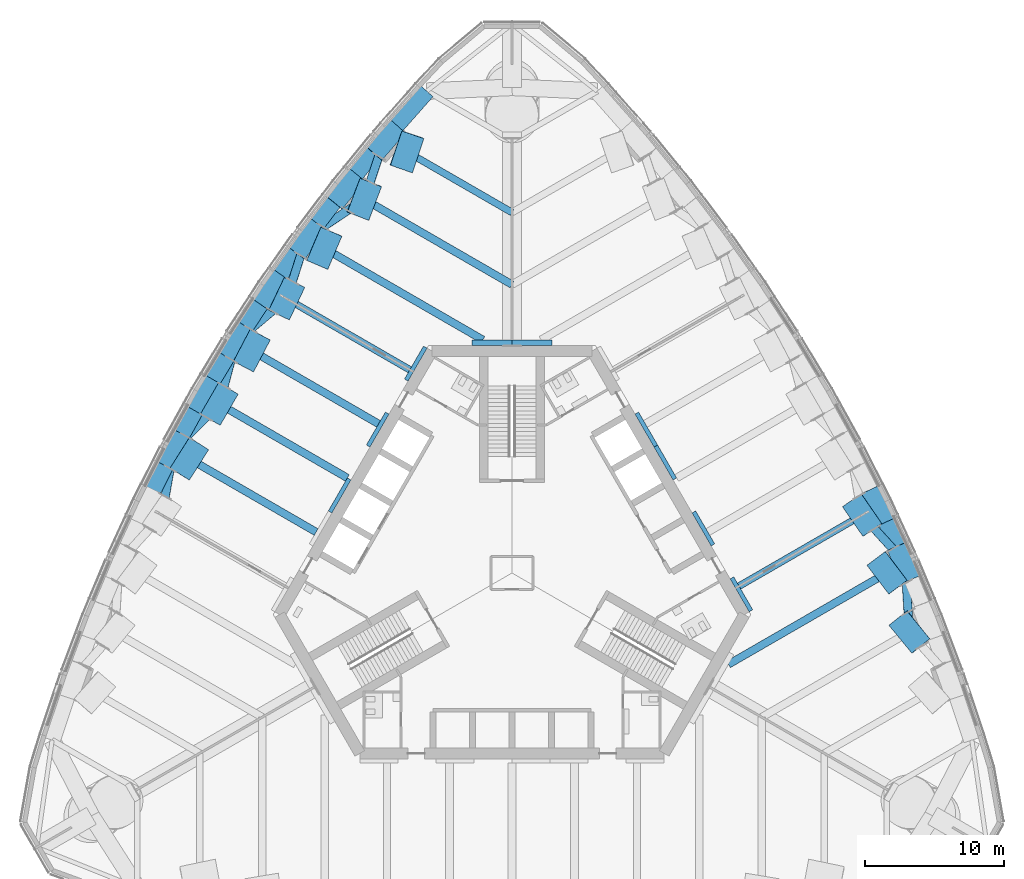
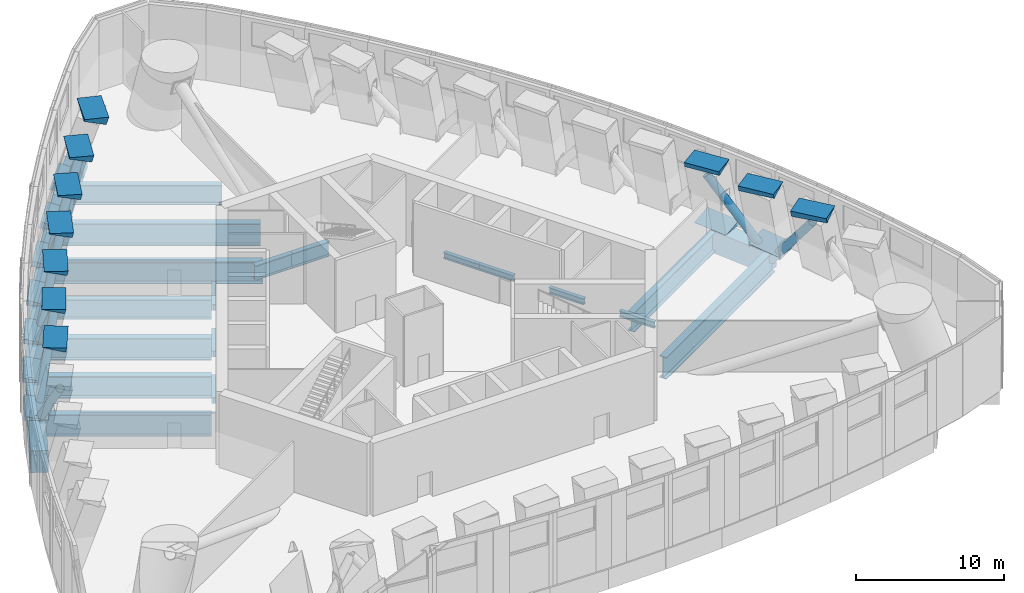
# One storey, part 4 of 25: 28 members, 27 beams.
"""IFC4 building model written with IfcOpenShell, lengths in metres."""

from ifc_helpers import new_model, si_unit, direction, frame, origin, origin_2d, place, context, subcontext, project, spatial, rectangle, hollow_circle, i_section, extrude, clip, halfspace, material, material_profile, profile_set, type_object, element, save


model = new_model("IFC4")

# Units and contexts
model_context = context("Model", 3, precision=1e-05, world=origin(), true_north=direction((0.0, 1.0)))
body_context = subcontext(model_context, "Body", "Model", "MODEL_VIEW")
ifc_project = project(units=[si_unit("LENGTHUNIT", "METRE"), si_unit("AREAUNIT", "SQUARE_METRE"), si_unit("VOLUMEUNIT", "CUBIC_METRE"), si_unit("PLANEANGLEUNIT", "RADIAN"), si_unit("MASSUNIT", "GRAM", prefix="KILO")], contexts=[model_context])

# Site, building, storey
site_placement = place(None, origin())
site = spatial("IfcSite", under=ifc_project, at=site_placement, CompositionType="ELEMENT")
building_placement = place(site_placement, origin())
building = spatial("IfcBuilding", under=site, at=building_placement, Name="Trefoil Bronze Tower", CompositionType="ELEMENT")
storey_placement = place(building_placement, frame((0.0, 0.0, 178.699951171875)))
storey = spatial("IfcBuildingStorey", under=building, at=storey_placement, Name="L41", CompositionType="ELEMENT", Elevation=178.699951171875)

# Members
ifc_material_1 = material(Name="Steel C355", Category="steel")
ifc_material_profile_1 = material_profile(ifc_material_1, hollow_circle(Radius=0.304931640625, WallThickness=0.02490234375, at=origin_2d()), Name="CHS 610x25")
ifc_profile_set_1 = profile_set([ifc_material_profile_1], Name="Steel C355")
member_type_1 = type_object("IfcMemberType", Name="Belt truss diagonal CHS 610x25", PredefinedType="BRACE", material=ifc_profile_set_1)
member_1_placement = place(storey_placement, frame((28.325439453125, 0.76513671875, -1.14990234375), z_axis=(0.038978648561, -0.637996064589, 0.76905246019), x_axis=(0.998138882332, 0.060981731502, 0.0)))
element("IfcMember", 1, at=member_1_placement, inside=storey, type_object=member_type_1, Name="Belt truss diagonal F2.2 L41", PredefinedType="BRACE", context=body_context, shape_type="SweptSolid", body=[
    extrude(hollow_circle(Radius=0.304931640625, WallThickness=0.02490234375, at=origin_2d()), origin(), (0.0, 0.0, 1.0), 7.866943359375),
])
member_2_placement = place(storey_placement, frame((28.325439453125, 0.76513671875, -1.14990234375), z_axis=(-0.407551839369, 0.448104740426, 0.795678100638), x_axis=(-0.739788944049, -0.672838998768, 0.0)))
element("IfcMember", 2, at=member_2_placement, inside=storey, type_object=member_type_1, Name="Belt truss diagonal F2.3 L41", PredefinedType="BRACE", context=body_context, shape_type="SweptSolid", body=[
    extrude(hollow_circle(Radius=0.304931640625, WallThickness=0.02490234375, at=origin_2d()), origin(), (0.0, 0.0, 1.0), 7.603759765625),
])
member_3_placement = place(storey_placement, frame((-9.181884765625, 31.281982421875, -1.14990234375), z_axis=(-0.190904348279, -0.573805763328, 0.796431086649), x_axis=(0.948863838651, -0.315685627959, 0.0)))
element("IfcMember", 3, at=member_3_placement, inside=storey, type_object=member_type_1, Name="Belt truss diagonal F3.1 L41", PredefinedType="BRACE", context=body_context, shape_type="SweptSolid", body=[
    extrude(hollow_circle(Radius=0.304931640625, WallThickness=0.02490234375, at=origin_2d()), origin(), (0.0, 0.0, 1.0), 7.596435546875),
])
member_4_placement = place(storey_placement, frame((-14.825439453125, 24.14794921875, -1.14990234375), z_axis=(0.533035435928, 0.352760468106, 0.769046992183), x_axis=(-0.551884776198, 0.833920376175, 0.0)))
element("IfcMember", 4, at=member_4_placement, inside=storey, type_object=member_type_1, Name="Belt truss diagonal F3.2 L41", PredefinedType="BRACE", context=body_context, shape_type="SweptSolid", body=[
    extrude(hollow_circle(Radius=0.304931640625, WallThickness=0.02490234375, at=origin_2d()), origin(), (0.0, 0.0, 1.0), 7.866943359375),
])
member_5_placement = place(storey_placement, frame((-14.825439453125, 24.14794921875, -1.14990234375), z_axis=(-0.184272460888, -0.576995316633, 0.795688421897), x_axis=(0.952599408935, -0.3042274907, 0.0)))
element("IfcMember", 5, at=member_5_placement, inside=storey, type_object=member_type_1, Name="Belt truss diagonal F3.3 L41", PredefinedType="BRACE", context=body_context, shape_type="SweptSolid", body=[
    extrude(hollow_circle(Radius=0.304931640625, WallThickness=0.02490234375, at=origin_2d()), origin(), (0.0, 0.0, 1.0), 7.603515625),
])
member_6_placement = place(storey_placement, frame((-19.892578125, 16.68115234375, -1.14990234375), z_axis=(0.475158655992, 0.399150991388, 0.784157342444), x_axis=(-0.643208828373, 0.76569080124, 0.0)))
element("IfcMember", 6, at=member_6_placement, inside=storey, type_object=member_type_1, Name="Belt truss diagonal F3.4 L41", PredefinedType="BRACE", context=body_context, shape_type="SweptSolid", body=[
    extrude(hollow_circle(Radius=0.304931640625, WallThickness=0.02490234375, at=origin_2d()), origin(), (0.0, 0.0, 1.0), 7.71533203125),
])
for number, where, z_axis, x_axis, name in (
    (7, (-19.892578125, 16.68115234375, -1.14990234375), (-0.156563765296, -0.589943007821, 0.792120593672), (0.966541951923, -0.256508586938, 0.0), "Belt truss diagonal F3.5 L41"),
    (8, (-24.392578125, 8.886962890625, -1.14990234375), (0.432618987255, 0.430541239791, 0.792133229139), (-0.705402632544, 0.708806832642, 0.0), "Belt truss diagonal F3.6 L41"),
):
    element("IfcMember", number, at=place(storey_placement, frame(where, z_axis=z_axis, x_axis=x_axis)), inside=storey, type_object=member_type_1, Name=name, PredefinedType="BRACE", context=body_context, shape_type="SweptSolid", body=[
        extrude(hollow_circle(Radius=0.304931640625, WallThickness=0.02490234375, at=origin_2d()), origin(), (0.0, 0.0, 1.0), 7.6376953125),
    ])
member_7_placement = place(storey_placement, frame((-24.392578125, 8.886962890625, -1.14990234375), z_axis=(-0.10809467692, -0.611070347193, 0.784161062285), x_axis=(0.984712120824, -0.174189664167, 0.0)))
element("IfcMember", 9, at=member_7_placement, inside=storey, type_object=member_type_1, Name="Belt truss diagonal F3.7 L41", PredefinedType="BRACE", context=body_context, shape_type="SweptSolid", body=[
    extrude(hollow_circle(Radius=0.304931640625, WallThickness=0.02490234375, at=origin_2d()), origin(), (0.0, 0.0, 1.0), 7.71533203125),
])
ifc_material_2 = material(Name="Concrete B80", Category="concrete")
ifc_material_profile_2 = material_profile(ifc_material_2, rectangle(XDim=2.60009765625, YDim=1.60009765625, at=origin_2d()), Name="RC 2600x1600")
ifc_profile_set_2 = profile_set([ifc_material_profile_2], Name="Concrete B80")
member_type_2 = type_object("IfcMemberType", Name="Column node RC 2600x1600", PredefinedType="MEMBER", material=ifc_profile_set_2)
member_8_placement = place(storey_placement, frame((26.47119140625, 4.890869140625, -0.204345703125), z_axis=(-0.195533724611, -0.112897448138, 0.974176949401), x_axis=(-0.431008462777, 0.902167504061, 0.0180416083)))
element("IfcMember", 10, at=member_8_placement, inside=storey, type_object=member_type_2, Name="Column node TC2616 L41 bottom", PredefinedType="MEMBER", context=body_context, shape_type="Clipping", body=[
    clip(extrude(rectangle(XDim=2.60009765625, YDim=1.60009765625, at=origin_2d()), origin(), (0.0, 0.0, 1.0), 0.41943359375), halfspace(frame((0.0, 0.0, 0.209716796875), z_axis=(0.018041608300351265, -0.22506392786564816, 0.9741769494006841), x_axis=(0.0, 0.9743355352347802, 0.22510056592277677)), True)),
])
member_9_placement = place(storey_placement, frame((25.185546875, 4.148681640625, 6.204345703125), z_axis=(0.195533724611, 0.112897448138, -0.974176949401), x_axis=(0.565833684937, -0.824321988886, 0.0180416083)))
element("IfcMember", 11, at=member_9_placement, inside=storey, type_object=member_type_2, Name="Column node TC2616 L41 top", PredefinedType="MEMBER", context=body_context, shape_type="Clipping", body=[
    clip(extrude(rectangle(XDim=2.60009765625, YDim=1.60009765625, at=origin_2d()), origin(), (0.0, 0.0, 1.0), 0.41943359375), halfspace(frame((0.0, 0.0, 0.209716796875), z_axis=(-0.018041608300351265, 0.22506392786564816, 0.9741769494006841), x_axis=(0.0, 0.9743355352347802, -0.22510056592277677)), True)),
])
member_10_placement = place(storey_placement, frame((28.375732421875, 0.794189453125, -0.23193359375), z_axis=(-0.210834703777, -0.121497964888, 0.969941736503), x_axis=(-0.395404505556, 0.918047617133, 0.02904909057)))
element("IfcMember", 12, at=member_10_placement, inside=storey, type_object=member_type_2, Name="Column node TC2616 L41 bottom", PredefinedType="MEMBER", context=body_context, shape_type="Clipping", body=[
    clip(extrude(rectangle(XDim=2.60009765625, YDim=1.60009765625, at=origin_2d()), origin(), (0.0, 0.0, 1.0), 0.478271484375), halfspace(frame((0.0, 0.0, 0.2392578125), z_axis=(0.029049090569892723, -0.2415971401439186, 0.9699417365034572), x_axis=(0.0, 0.9703512381937962, 0.2416991405358459)), True)),
])
member_11_placement = place(storey_placement, frame((26.971923828125, -0.016357421875, 6.23193359375), z_axis=(0.210333746012, 0.122013993439, -0.969985721902), x_axis=(0.598354575342, -0.800705419319, 0.029028152539)))
element("IfcMember", 13, at=member_11_placement, inside=storey, type_object=member_type_2, Name="Column node TC2616 L41 top", PredefinedType="MEMBER", context=body_context, shape_type="Clipping", body=[
    clip(extrude(rectangle(XDim=2.60009765625, YDim=1.60009765625, at=origin_2d()), origin(), (0.0, 0.0, 1.0), 0.478271484375), halfspace(frame((0.0, 0.0, 0.239013671875), z_axis=(-0.029028152538825135, 0.24142300152797802, 0.9699857219018251), x_axis=(0.0, 0.9703946516531617, -0.24152478142612768)), True)),
])
member_12_placement = place(storey_placement, frame((28.567626953125, -4.291015625, 6.267578125), z_axis=(0.231662138208, 0.133634326405, -0.963573827232), x_axis=(0.625426273785, -0.779135340767, 0.042309535899)))
element("IfcMember", 14, at=member_12_placement, inside=storey, type_object=member_type_2, Name="Column node TC2616 L41 top", PredefinedType="MEMBER", context=body_context, shape_type="Clipping", body=[
    clip(extrude(rectangle(XDim=2.60009765625, YDim=1.60009765625, at=origin_2d()), origin(), (0.0, 0.0, 1.0), 0.555419921875), halfspace(frame((0.0, 0.0, 0.277587890625), z_axis=(-0.04230953589930732, 0.26407457780820426, 0.9635738272324565), x_axis=(0.0, 0.9644374320836445, -0.26431125514420617)), True)),
])
member_13_placement = place(storey_placement, frame((-22.2451171875, 12.84326171875, -0.170166015625), z_axis=(0.182873443531, -0.105800344725, 0.977427025771), x_axis=(-0.500774789596, -0.865577616454, 0.0)))
element("IfcMember", 15, at=member_13_placement, inside=storey, type_object=member_type_2, Name="Column node TC2616 L41 bottom", PredefinedType="MEMBER", context=body_context, shape_type="Clipping", body=[
    clip(extrude(rectangle(XDim=2.60009765625, YDim=1.60009765625, at=origin_2d()), origin(), (0.0, 0.0, 1.0), 0.348388671875), halfspace(frame((0.0, 0.0, 0.174072265625), z_axis=(2.5873517638691127e-17, -0.21127330473329353, 0.9774270257707595), x_axis=(0.0, 0.9774270257707595, 0.21127330473329353)), True)),
])
member_14_placement = place(storey_placement, frame((-21.056396484375, 12.156982421875, 6.17041015625), z_axis=(-0.182873443531, 0.105800344725, -0.977427025771), x_axis=(0.500774789596, 0.865577616454, 0.0)))
element("IfcMember", 16, at=member_14_placement, inside=storey, type_object=member_type_2, Name="Column node TC2616 L41 top", PredefinedType="MEMBER", context=body_context, shape_type="Clipping", body=[
    clip(extrude(rectangle(XDim=2.60009765625, YDim=1.60009765625, at=origin_2d()), origin(), (0.0, 0.0, 1.0), 0.348388671875), halfspace(frame((0.0, 0.0, 0.17431640625), z_axis=(-2.5873517638691127e-17, 0.21127330473329356, 0.9774270257707595), x_axis=(0.0, 0.9774270257707595, -0.21127330473329356)), True)),
])
member_15_placement = place(storey_placement, frame((-24.427734375, 8.9072265625, -0.18408203125), z_axis=(0.186503933671, -0.107498795102, 0.976555319363), x_axis=(-0.465094649677, -0.885218990373, -0.008620088392)))
element("IfcMember", 17, at=member_15_placement, inside=storey, type_object=member_type_2, Name="Column node TC2616 L41 bottom", PredefinedType="MEMBER", context=body_context, shape_type="Clipping", body=[
    clip(extrude(rectangle(XDim=2.60009765625, YDim=1.60009765625, at=origin_2d()), origin(), (0.0, 0.0, 1.0), 0.376953125), halfspace(frame((0.0, 0.0, 0.1884765625), z_axis=(-0.008620088391881024, -0.21509393831418464, 0.9765553193632248), x_axis=(0.0, 0.9765916033079357, 0.2151019301364713)), True)),
])
member_16_placement = place(storey_placement, frame((-23.212890625, 8.205810546875, 6.18408203125), z_axis=(-0.186503933671, 0.107498795102, -0.976555319363), x_axis=(0.532854629206, 0.846162891062, -0.008620088392)))
element("IfcMember", 18, at=member_16_placement, inside=storey, type_object=member_type_2, Name="Column node TC2616 L41 top", PredefinedType="MEMBER", context=body_context, shape_type="Clipping", body=[
    clip(extrude(rectangle(XDim=2.60009765625, YDim=1.60009765625, at=origin_2d()), origin(), (0.0, 0.0, 1.0), 0.376953125), halfspace(frame((0.0, 0.0, 0.1884765625), z_axis=(0.008620088391881024, 0.21509393831418464, 0.9765553193632248), x_axis=(0.0, 0.9765916033079357, -0.2151019301364713)), True)),
])
member_17_placement = place(storey_placement, frame((-19.927734375, 16.701416015625, -0.18408203125), z_axis=(0.186503933671, -0.107498795102, 0.976555319363), x_axis=(-0.532854629206, -0.846162891062, 0.008620088392)))
element("IfcMember", 19, at=member_17_placement, inside=storey, type_object=member_type_2, Name="Column node TC2616 L41 bottom", PredefinedType="MEMBER", context=body_context, shape_type="Clipping", body=[
    clip(extrude(rectangle(XDim=2.60009765625, YDim=1.60009765625, at=origin_2d()), origin(), (0.0, 0.0, 1.0), 0.376953125), halfspace(frame((0.0, 0.0, 0.1884765625), z_axis=(0.008620088391881024, -0.21509393831418464, 0.9765553193632248), x_axis=(0.0, 0.9765916033079357, 0.2151019301364713)), True)),
])
member_18_placement = place(storey_placement, frame((-18.712890625, 16.0, 6.18408203125), z_axis=(-0.186503933671, 0.107498795102, -0.976555319363), x_axis=(0.465094649677, 0.885218990373, 0.008620088392)))
element("IfcMember", 20, at=member_18_placement, inside=storey, type_object=member_type_2, Name="Column node TC2616 L41 top", PredefinedType="MEMBER", context=body_context, shape_type="Clipping", body=[
    clip(extrude(rectangle(XDim=2.60009765625, YDim=1.60009765625, at=origin_2d()), origin(), (0.0, 0.0, 1.0), 0.376953125), halfspace(frame((0.0, 0.0, 0.1884765625), z_axis=(-0.008620088391881024, 0.21509393831418464, 0.9765553193632248), x_axis=(0.0, 0.9765916033079357, -0.2151019301364713)), True)),
])
member_19_placement = place(storey_placement, frame((-17.47119140625, 20.479248046875, -0.204345703125), z_axis=(0.195533724611, -0.112897448138, 0.974176949401), x_axis=(-0.565833684937, -0.824321988886, 0.0180416083)))
element("IfcMember", 21, at=member_19_placement, inside=storey, type_object=member_type_2, Name="Column node TC2616 L41 bottom", PredefinedType="MEMBER", context=body_context, shape_type="Clipping", body=[
    clip(extrude(rectangle(XDim=2.60009765625, YDim=1.60009765625, at=origin_2d()), origin(), (0.0, 0.0, 1.0), 0.41943359375), halfspace(frame((0.0, 0.0, 0.209716796875), z_axis=(0.018041608300351265, -0.22506392786564816, 0.9741769494006841), x_axis=(0.0, 0.9743355352347802, 0.22510056592277677)), True)),
])
member_20_placement = place(storey_placement, frame((-16.185546875, 19.737060546875, 6.204345703125), z_axis=(-0.195533724611, 0.112897448138, -0.974176949401), x_axis=(0.431008462777, 0.902167504061, 0.0180416083)))
element("IfcMember", 22, at=member_20_placement, inside=storey, type_object=member_type_2, Name="Column node TC2616 L41 top", PredefinedType="MEMBER", context=body_context, shape_type="Clipping", body=[
    clip(extrude(rectangle(XDim=2.60009765625, YDim=1.60009765625, at=origin_2d()), origin(), (0.0, 0.0, 1.0), 0.41943359375), halfspace(frame((0.0, 0.0, 0.209716796875), z_axis=(-0.018041608300351265, 0.22506392786564816, 0.9741769494006841), x_axis=(0.0, 0.9743355352347802, -0.22510056592277677)), True)),
])
member_21_placement = place(storey_placement, frame((-14.875732421875, 24.177001953125, -0.23193359375), z_axis=(0.210834703777, -0.121497964888, 0.969941736503), x_axis=(-0.596051663687, -0.802420441261, 0.02904909057)))
element("IfcMember", 23, at=member_21_placement, inside=storey, type_object=member_type_2, Name="Column node TC2616 L41 bottom", PredefinedType="MEMBER", context=body_context, shape_type="Clipping", body=[
    clip(extrude(rectangle(XDim=2.60009765625, YDim=1.60009765625, at=origin_2d()), origin(), (0.0, 0.0, 1.0), 0.478271484375), halfspace(frame((0.0, 0.0, 0.2392578125), z_axis=(0.029049090569892723, -0.2415971401439186, 0.9699417365034572), x_axis=(0.0, 0.9703512381937962, 0.2416991405358459)), True)),
])
member_22_placement = place(storey_placement, frame((-13.471923828125, 23.366455078125, 6.23193359375), z_axis=(-0.210346821603, 0.121511028013, -0.970046021956), x_axis=(0.396356890633, 0.917638408501, 0.028999422254)))
element("IfcMember", 24, at=member_22_placement, inside=storey, type_object=member_type_2, Name="Column node TC2616 L41 top", PredefinedType="MEMBER", context=body_context, shape_type="Clipping", body=[
    clip(extrude(rectangle(XDim=2.60009765625, YDim=1.60009765625, at=origin_2d()), origin(), (0.0, 0.0, 1.0), 0.478271484375), halfspace(frame((0.0, 0.0, 0.239013671875), z_axis=(-0.028999422254053667, 0.24118405585015695, 0.9700460219559686), x_axis=(0.0, 0.9704541675011918, -0.24128553371383155)), True)),
])
member_23_placement = place(storey_placement, frame((-12.14111328125, 27.794189453125, -0.267578125), z_axis=(0.232064418191, -0.134052362781, 0.963418948248), x_axis=(-0.625873295715, -0.778771501429, 0.04239771542)))
element("IfcMember", 25, at=member_23_placement, inside=storey, type_object=member_type_2, Name="Column node TC2616 L41 bottom", PredefinedType="MEMBER", context=body_context, shape_type="Clipping", body=[
    clip(extrude(rectangle(XDim=2.60009765625, YDim=1.60009765625, at=origin_2d()), origin(), (0.0, 0.0, 1.0), 0.555419921875), halfspace(frame((0.0, 0.0, 0.27783203125), z_axis=(0.042397715420347565, -0.26462494947490023, 0.9634189482476155), x_axis=(0.0, 0.964286022093912, 0.2648631110485174)), True)),
])
member_24_placement = place(storey_placement, frame((-10.567626953125, 26.8857421875, 6.267578125), z_axis=(-0.2316485083, 0.134066024728, -0.963517135092), x_axis=(0.362671471183, 0.930954656734, 0.042341836218)))
element("IfcMember", 26, at=member_24_placement, inside=storey, type_object=member_type_2, Name="Column node TC2616 L41 top", PredefinedType="MEMBER", context=body_context, shape_type="Clipping", body=[
    clip(extrude(rectangle(XDim=2.60009765625, YDim=1.60009765625, at=origin_2d()), origin(), (0.0, 0.0, 1.0), 0.555419921875), halfspace(frame((0.0, 0.0, 0.277587890625), z_axis=(-0.04234183621830575, 0.26427617995110836, 0.9635171350921122), x_axis=(0.0, 0.9643820099367588, -0.2645134002472032)), True)),
])
member_25_placement = place(storey_placement, frame((-9.266357421875, 31.330810546875, -0.3115234375), z_axis=(0.259099296461, -0.149926144128, 0.954143440936), x_axis=(-0.652079481765, -0.755905987834, 0.058296543786)))
element("IfcMember", 27, at=member_25_placement, inside=storey, type_object=member_type_2, Name="Column node TC2616 L41 bottom", PredefinedType="MEMBER", context=body_context, shape_type="Clipping", body=[
    clip(extrude(rectangle(XDim=2.60009765625, YDim=1.60009765625, at=origin_2d()), origin(), (0.0, 0.0, 1.0), 0.653076171875), halfspace(frame((0.0, 0.0, 0.326416015625), z_axis=(0.05829654378581573, -0.29361847200462576, 0.9541434409355322), x_axis=(0.0, 0.9557689072538845, 0.29411867660302626)), True)),
])
member_26_placement = place(storey_placement, frame((-7.46728515625, 30.2919921875, 6.3115234375), z_axis=(-0.259113803248, 0.149560636795, -0.954196862753), x_axis=(0.329392938115, 0.942393586386, 0.058263373213)))
element("IfcMember", 28, at=member_26_placement, inside=storey, type_object=member_type_2, Name="Column node TC2616 L41 top", PredefinedType="MEMBER", context=body_context, shape_type="Clipping", body=[
    clip(extrude(rectangle(XDim=2.60009765625, YDim=1.60009765625, at=origin_2d()), origin(), (0.0, 0.0, 1.0), 0.653076171875), halfspace(frame((0.0, 0.0, 0.326416015625), z_axis=(-0.058263373213412226, 0.29345140390500707, 0.9541968627531612), x_axis=(0.0, 0.9558205660081742, -0.2939507536915217)), True)),
])

# Beams
ifc_material_3 = material(Name="Steel C355", Category="steel")
ifc_material_profile_3 = material_profile(ifc_material_3, i_section(OverallWidth=0.300048828125, OverallDepth=0.5, WebThickness=0.014404296875, FlangeThickness=0.028076171875, FilletRadius=0.027099609375, at=origin_2d()), Name="HEB 500")
ifc_profile_set_3 = profile_set([ifc_material_profile_3], Name="Steel C355")
beam_type_1 = type_object("IfcBeamType", Name="Core seat beam HEB 500", PredefinedType="BEAM", material=ifc_profile_set_3)
for number, where, z_axis, x_axis, name in (
    (29, (17.219482421875, -2.72509765625, -0.5), (-0.500035825175, 0.866004719122, 0.0), (-0.866004719122, -0.500035825175, 0.0), "Core seat beam F2/-2 L41"),
    (30, (14.47705078125, 2.02490234375, -0.5), (-0.499969057507, 0.866043267704, 0.0), (-0.866043267704, -0.499969057507, 0.0), "Core seat beam F2/-1 L41"),
    (31, (11.734619140625, 6.77490234375, -0.5), (-0.499969057507, 0.866043267704, 0.0), (-0.866043267704, -0.499969057507, 0.0), "Core seat beam F2/+0 L41"),
    (32, (10.363525390625, 9.14990234375, -0.5), (-0.500035825175, 0.866004719122, 0.0), (-0.866004719122, -0.500035825175, 0.0), "Core seat beam F2/+1 L41"),
    (33, (-6.249755859375, 16.27490234375, -0.5), (-0.500035825175, -0.866004719122, 0.0), (0.866004719122, -0.500035825175, 0.0), "Core seat beam F3/-2 L41"),
    (34, (-8.9921875, 11.52490234375, -0.5), (-0.500035825175, -0.866004719122, 0.0), (0.866004719122, -0.500035825175, 0.0), "Core seat beam F3/-1 L41"),
    (35, (-11.734619140625, 6.77490234375, -0.5), (-0.500035825175, -0.866004719122, 0.0), (0.866004719122, -0.500035825175, 0.0), "Core seat beam F3/+0 L41"),
):
    element("IfcBeam", number, at=place(storey_placement, frame(where, z_axis=z_axis, x_axis=x_axis)), inside=storey, type_object=beam_type_1, Name=name, PredefinedType="BEAM", context=body_context, shape_type="SweptSolid", body=[
        extrude(i_section(OverallWidth=0.300048828125, OverallDepth=0.5, WebThickness=0.014404296875, FlangeThickness=0.028076171875, FilletRadius=0.027099609375, at=origin_2d()), origin(), (0.0, 0.0, 1.0), 2.742431640625),
    ])
ifc_material_4 = material(Name="Steel C355", Category="steel")
ifc_material_profile_4 = material_profile(ifc_material_4, i_section(OverallWidth=0.39990234375, OverallDepth=1.199951171875, WebThickness=0.02001953125, FlangeThickness=0.0400390625, FilletRadius=0.010009765625, at=origin_2d()), Name="WPG 1200")
ifc_profile_set_4 = profile_set([ifc_material_profile_4], Name="Steel C355")
beam_type_2 = type_object("IfcBeamType", Name="Core seat beam WPG 1200", PredefinedType="BEAM", material=ifc_profile_set_4)
for number, where, z_axis, x_axis, name in (
    (36, (2.88671875, 16.60009765625, -0.849853515625), (-1.0, 0.0, 0.0), (0.0, -1.0, 0.0), "Core seat beam F2/+3 L41"),
    (37, (0.0, 16.60009765625, -0.849853515625), (-1.0, 0.0, 0.0), (0.0, -1.0, 0.0), "Core seat beam F3/-3 L41"),
):
    element("IfcBeam", number, at=place(storey_placement, frame(where, z_axis=z_axis, x_axis=x_axis)), inside=storey, type_object=beam_type_2, Name=name, PredefinedType="BEAM", context=body_context, shape_type="SweptSolid", body=[
        extrude(i_section(OverallWidth=0.39990234375, OverallDepth=1.199951171875, WebThickness=0.02001953125, FlangeThickness=0.0400390625, FilletRadius=0.010009765625, at=origin_2d()), origin(), (0.0, 0.0, 1.0), 2.88671875),
    ])
ifc_material_5 = material(Name="Steel C355", Category="steel")
ifc_material_profile_5 = material_profile(ifc_material_5, i_section(OverallWidth=0.5, OverallDepth=1.60009765625, WebThickness=0.02587890625, FlangeThickness=0.050048828125, FilletRadius=0.011962890625, at=origin_2d()), Name="WPG 1600")
ifc_profile_set_5 = profile_set([ifc_material_profile_5], Name="Steel C355")
beam_type_3 = type_object("IfcBeamType", Name="Floor beam WPG 1600", PredefinedType="BEAM", material=ifc_profile_set_5)
beam_1_placement = place(storey_placement, frame((26.43017578125, 4.8671875, -1.050048828125), z_axis=(-0.866021531335, -0.500006707218, 0.0), x_axis=(0.500006707218, -0.866021531335, 0.0)))
element("IfcBeam", 38, at=beam_1_placement, inside=storey, type_object=beam_type_3, Name="Floor beam F2/-2 L41", PredefinedType="BEAM", context=body_context, shape_type="SweptSolid", body=[
    extrude(i_section(OverallWidth=0.5, OverallDepth=1.60009765625, WebThickness=0.02587890625, FlangeThickness=0.050048828125, FilletRadius=0.011962890625, at=origin_2d()), origin(), (0.0, 0.0, 1.0), 11.622802734375),
])
beam_2_placement = place(storey_placement, frame((-9.181884765625, 31.281982421875, -1.050048828125), z_axis=(0.866021079084, -0.500007490527, 0.0), x_axis=(0.500007490527, 0.866021079084, 0.0)))
element("IfcBeam", 39, at=beam_2_placement, inside=storey, type_object=beam_type_3, Name="Floor beam F3/-5 L41", PredefinedType="BEAM", context=body_context, shape_type="SweptSolid", body=[
    extrude(i_section(OverallWidth=0.5, OverallDepth=1.60009765625, WebThickness=0.02587890625, FlangeThickness=0.050048828125, FilletRadius=0.011962890625, at=origin_2d()), origin(), (0.0, 0.0, 1.0), 10.602294921875),
])
beam_3_placement = place(storey_placement, frame((-17.43017578125, 20.45556640625, -1.050048828125), z_axis=(0.866030626868, -0.499990953245, 0.0), x_axis=(0.499990953245, 0.866030626868, 0.0)))
element("IfcBeam", 40, at=beam_3_placement, inside=storey, type_object=beam_type_3, Name="Floor beam F3/-2 L41", PredefinedType="BEAM", context=body_context, shape_type="SweptSolid", body=[
    extrude(i_section(OverallWidth=0.5, OverallDepth=1.60009765625, WebThickness=0.02587890625, FlangeThickness=0.050048828125, FilletRadius=0.011962890625, at=origin_2d()), origin(), (0.0, 0.0, 1.0), 11.622802734375),
])
ifc_material_6 = material(Name="Steel C355", Category="steel")
ifc_material_profile_6 = material_profile(ifc_material_6, i_section(OverallWidth=0.550048828125, OverallDepth=1.800048828125, WebThickness=0.029052734375, FlangeThickness=0.054931640625, FilletRadius=0.013916015625, at=origin_2d()), Name="WPG 1800")
ifc_profile_set_6 = profile_set([ifc_material_profile_6], Name="Steel C355")
beam_type_4 = type_object("IfcBeamType", Name="Floor beam WPG 1800", PredefinedType="BEAM", material=ifc_profile_set_6)
beam_4_placement = place(storey_placement, frame((28.325439453125, 0.76513671875, -1.14990234375), z_axis=(-0.866027342682, -0.499996641717, 0.0), x_axis=(0.499996641717, -0.866027342682, 0.0)))
element("IfcBeam", 41, at=beam_4_placement, inside=storey, type_object=beam_type_4, Name="Floor beam F2/-3 L41", PredefinedType="BEAM", context=body_context, shape_type="SweptSolid", body=[
    extrude(i_section(OverallWidth=0.550048828125, OverallDepth=1.800048828125, WebThickness=0.029052734375, FlangeThickness=0.054931640625, FilletRadius=0.013916015625, at=origin_2d()), origin(), (0.0, 0.0, 1.0), 14.69580078125),
])
beam_5_placement = place(storey_placement, frame((-12.07666015625, 27.757080078125, -1.14990234375), z_axis=(0.866026983775, -0.499997263366, 0.0), x_axis=(0.499997263366, 0.866026983775, 0.0)))
element("IfcBeam", 42, at=beam_5_placement, inside=storey, type_object=beam_type_4, Name="Floor beam F3/-4 L41", PredefinedType="BEAM", context=body_context, shape_type="SweptSolid", body=[
    extrude(i_section(OverallWidth=0.550048828125, OverallDepth=1.800048828125, WebThickness=0.029052734375, FlangeThickness=0.054931640625, FilletRadius=0.013916015625, at=origin_2d()), origin(), (0.0, 0.0, 1.0), 13.94482421875),
])
beam_6_placement = place(storey_placement, frame((-14.825439453125, 24.14794921875, -1.14990234375), z_axis=(0.866027342682, -0.499996641717, 0.0), x_axis=(0.499996641717, 0.866027342682, 0.0)))
element("IfcBeam", 43, at=beam_6_placement, inside=storey, type_object=beam_type_4, Name="Floor beam F3/-3 L41", PredefinedType="BEAM", context=body_context, shape_type="SweptSolid", body=[
    extrude(i_section(OverallWidth=0.550048828125, OverallDepth=1.800048828125, WebThickness=0.029052734375, FlangeThickness=0.054931640625, FilletRadius=0.013916015625, at=origin_2d()), origin(), (0.0, 0.0, 1.0), 14.69580078125),
])
beam_7_placement = place(storey_placement, frame((-19.892578125, 16.68115234375, -1.14990234375), z_axis=(0.866024236736, -0.500002021381, 0.0), x_axis=(0.500002021381, 0.866024236736, 0.0)))
element("IfcBeam", 44, at=beam_7_placement, inside=storey, type_object=beam_type_4, Name="Floor beam F3/-1 L41", PredefinedType="BEAM", context=body_context, shape_type="SweptSolid", body=[
    extrude(i_section(OverallWidth=0.550048828125, OverallDepth=1.800048828125, WebThickness=0.029052734375, FlangeThickness=0.054931640625, FilletRadius=0.013916015625, at=origin_2d()), origin(), (0.0, 0.0, 1.0), 11.8681640625),
])
beam_8_placement = place(storey_placement, frame((-22.21337890625, 12.824951171875, -1.14990234375), z_axis=(0.866028062731, -0.499995394541, 0.0), x_axis=(0.499995394541, 0.866028062731, 0.0)))
element("IfcBeam", 45, at=beam_8_placement, inside=storey, type_object=beam_type_4, Name="Floor beam F3/+0 L41", PredefinedType="BEAM", context=body_context, shape_type="SweptSolid", body=[
    extrude(i_section(OverallWidth=0.550048828125, OverallDepth=1.800048828125, WebThickness=0.029052734375, FlangeThickness=0.054931640625, FilletRadius=0.013916015625, at=origin_2d()), origin(), (0.0, 0.0, 1.0), 11.94970703125),
])
beam_9_placement = place(storey_placement, frame((-24.392578125, 8.886962890625, -1.14990234375), z_axis=(0.866024236736, -0.500002021381, 0.0), x_axis=(0.500002021381, 0.866024236736, 0.0)))
element("IfcBeam", 46, at=beam_9_placement, inside=storey, type_object=beam_type_4, Name="Floor beam F3/+1 L41", PredefinedType="BEAM", context=body_context, shape_type="SweptSolid", body=[
    extrude(i_section(OverallWidth=0.550048828125, OverallDepth=1.800048828125, WebThickness=0.029052734375, FlangeThickness=0.054931640625, FilletRadius=0.013916015625, at=origin_2d()), origin(), (0.0, 0.0, 1.0), 11.8681640625),
])
ifc_material_7 = material(Name="Concrete B80", Category="concrete")
ifc_material_profile_7 = material_profile(ifc_material_7, rectangle(XDim=1.199951171875, YDim=1.800048828125, at=origin_2d()), Name="RC 1200x1800")
ifc_profile_set_7 = profile_set([ifc_material_profile_7], Name="Concrete B80")
beam_type_5 = type_object("IfcBeamType", Name="Spandrel beam RC 1200x1800", PredefinedType="SPANDREL", material=ifc_profile_set_7)
beam_10_placement = place(storey_placement, frame((28.325439453125, 0.76513671875, -1.14990234375), z_axis=(-0.419424747755, 0.907790108434, 0.0), x_axis=(-0.907790108434, -0.419424747755, 0.0)))
element("IfcBeam", 47, at=beam_10_placement, inside=storey, type_object=beam_type_5, Name="Spandrel F2.5 L41", PredefinedType="SPANDREL", context=body_context, shape_type="SweptSolid", body=[
    extrude(rectangle(XDim=1.199951171875, YDim=1.800048828125, at=origin_2d()), origin(), (0.0, 0.0, 1.0), 4.518798828125),
])
beam_11_placement = place(storey_placement, frame((-6.13916015625, 34.72119140625, -1.14990234375), z_axis=(-0.662616326239, -0.748959013699, 0.0), x_axis=(0.748959013699, -0.662616326239, 0.0)))
element("IfcBeam", 48, at=beam_11_placement, inside=storey, type_object=beam_type_5, Name="Spandrel F3.2 L41", PredefinedType="SPANDREL", context=body_context, shape_type="SweptSolid", body=[
    extrude(rectangle(XDim=1.199951171875, YDim=1.800048828125, at=origin_2d()), origin(), (0.0, 0.0, 1.0), 4.592041015625),
])
beam_12_placement = place(storey_placement, frame((-9.181884765625, 31.281982421875, -1.14990234375), z_axis=(-0.634650386838, -0.772799383079, 0.0), x_axis=(0.772799383079, -0.634650386838, 0.0)))
element("IfcBeam", 49, at=beam_12_placement, inside=storey, type_object=beam_type_5, Name="Spandrel F3.3 L41", PredefinedType="SPANDREL", context=body_context, shape_type="SweptSolid", body=[
    extrude(rectangle(XDim=1.199951171875, YDim=1.800048828125, at=origin_2d()), origin(), (0.0, 0.0, 1.0), 4.561279296875),
])
beam_13_placement = place(storey_placement, frame((-12.07666015625, 27.757080078125, -1.14990234375), z_axis=(-0.605898901788, -0.795541652468, 0.0), x_axis=(0.795541652468, -0.605898901788, 0.0)))
element("IfcBeam", 50, at=beam_13_placement, inside=storey, type_object=beam_type_5, Name="Spandrel F3.4 L41", PredefinedType="SPANDREL", context=body_context, shape_type="SweptSolid", body=[
    extrude(rectangle(XDim=1.199951171875, YDim=1.800048828125, at=origin_2d()), origin(), (0.0, 0.0, 1.0), 4.53662109375),
])
beam_14_placement = place(storey_placement, frame((-14.825439453125, 24.14794921875, -1.14990234375), z_axis=(-0.576439228712, -0.81714002203, 0.0), x_axis=(0.81714002203, -0.576439228712, 0.0)))
element("IfcBeam", 51, at=beam_14_placement, inside=storey, type_object=beam_type_5, Name="Spandrel F3.5 L41", PredefinedType="SPANDREL", context=body_context, shape_type="SweptSolid", body=[
    extrude(rectangle(XDim=1.199951171875, YDim=1.800048828125, at=origin_2d()), origin(), (0.0, 0.0, 1.0), 4.5185546875),
])
beam_15_placement = place(storey_placement, frame((-17.43017578125, 20.45556640625, -1.14990234375), z_axis=(-0.546396670296, -0.83752652417, 0.0), x_axis=(0.83752652417, -0.546396670296, 0.0)))
element("IfcBeam", 52, at=beam_15_placement, inside=storey, type_object=beam_type_5, Name="Spandrel F3.6 L41", PredefinedType="SPANDREL", context=body_context, shape_type="SweptSolid", body=[
    extrude(rectangle(XDim=1.199951171875, YDim=1.800048828125, at=origin_2d()), origin(), (0.0, 0.0, 1.0), 4.506591796875),
])
for number, where, z_axis, x_axis, name in (
    (53, (-19.892578125, 16.68115234375, -1.14990234375), (-0.515651979972, -0.856798129988, 0.0), (0.856798129988, -0.515651979972, 0.0), "Spandrel F3.7 L41"),
    (54, (-22.21337890625, 12.824951171875, -1.14990234375), (-0.484186866546, -0.874964615436, 0.0), (0.874964615436, -0.484186866546, 0.0), "Spandrel F3.8 L41"),
):
    element("IfcBeam", number, at=place(storey_placement, frame(where, z_axis=z_axis, x_axis=x_axis)), inside=storey, type_object=beam_type_5, Name=name, PredefinedType="SPANDREL", context=body_context, shape_type="SweptSolid", body=[
        extrude(rectangle(XDim=1.199951171875, YDim=1.800048828125, at=origin_2d()), origin(), (0.0, 0.0, 1.0), 4.500732421875),
    ])
beam_16_placement = place(storey_placement, frame((-24.392578125, 8.886962890625, -1.14990234375), z_axis=(-0.452125717735, -0.891954222683, 0.0), x_axis=(0.891954222683, -0.452125717735, 0.0)))
element("IfcBeam", 55, at=beam_16_placement, inside=storey, type_object=beam_type_5, Name="Spandrel F3.9 L41", PredefinedType="SPANDREL", context=body_context, shape_type="SweptSolid", body=[
    extrude(rectangle(XDim=1.199951171875, YDim=1.800048828125, at=origin_2d()), origin(), (0.0, 0.0, 1.0), 4.506591796875),
])

save(model, "model.ifc")
